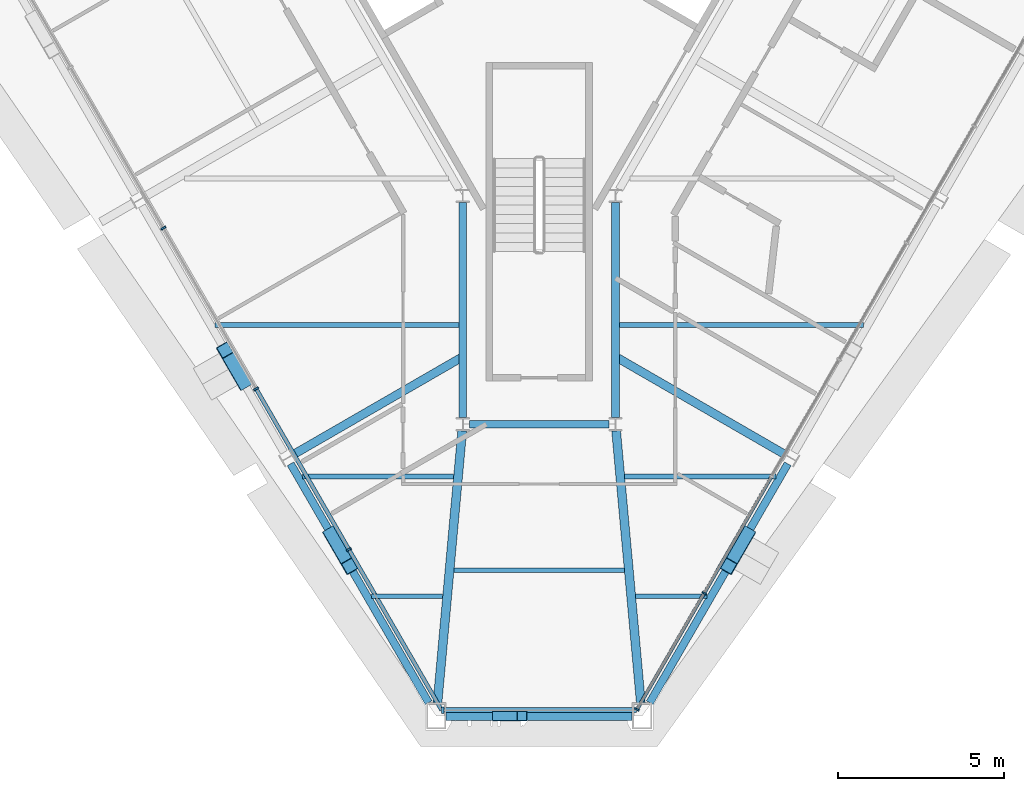
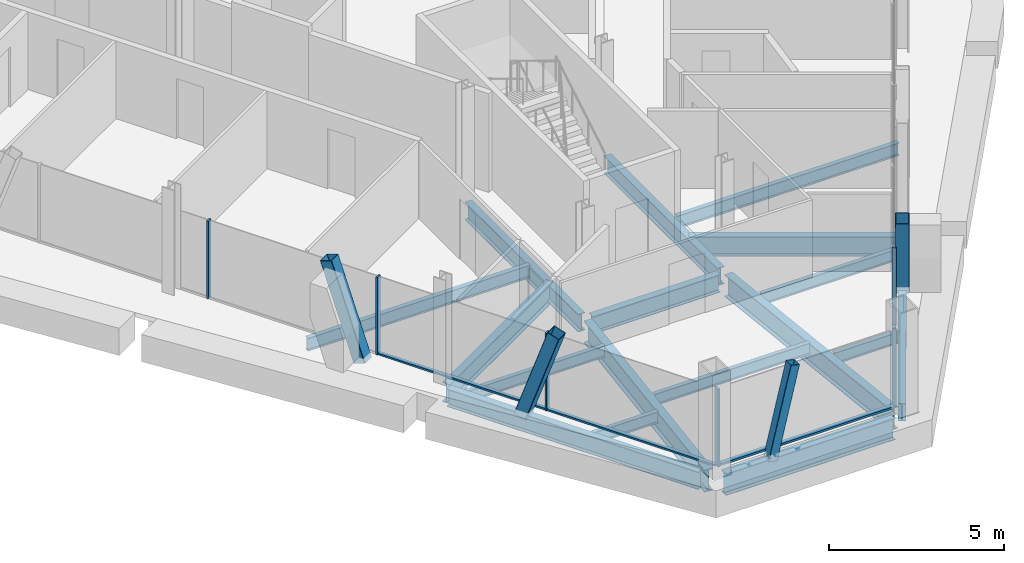
# One storey, part 3 of 16: 17 beams, 15 members, 3 elements without a shape of their own.
"""IFC4 building model written with IfcOpenShell, lengths in metres."""

from ifc_helpers import new_model, si_unit, direction, frame, origin, origin_2d, place, context, subcontext, project, spatial, rectangle, hollow_rectangle, i_section, extrude, material, material_profile, profile_set, type_object, element, aggregate, save


model = new_model("IFC4")

# Units and contexts
model_context = context("Model", 3, precision=1e-05, world=origin(), true_north=direction((0.0, 1.0)))
body_context = subcontext(model_context, "Body", "Model", "MODEL_VIEW")
ifc_project = project(units=[si_unit("LENGTHUNIT", "METRE"), si_unit("AREAUNIT", "SQUARE_METRE"), si_unit("VOLUMEUNIT", "CUBIC_METRE"), si_unit("PLANEANGLEUNIT", "RADIAN"), si_unit("MASSUNIT", "GRAM", prefix="KILO")], contexts=[model_context])

# Site, building, storey
site_placement = place(None, origin())
site = spatial("IfcSite", under=ifc_project, at=site_placement, CompositionType="ELEMENT")
building_placement = place(site_placement, origin())
building = spatial("IfcBuilding", under=site, at=building_placement, Name="Verrane Prism Tower", CompositionType="ELEMENT")
storey_placement = place(building_placement, frame((0.0, 0.0, 239.699951171875)))
storey = spatial("IfcBuildingStorey", under=building, at=storey_placement, Name="L60", CompositionType="ELEMENT", Elevation=239.699951171875)

# Member
ifc_material_1 = material(Name="Steel A500 Grade C", Category="steel")
ifc_material_profile_1 = material_profile(ifc_material_1, hollow_rectangle(XDim=0.3046875, YDim=0.3046875, WallThickness=0.0126953125, InnerFilletRadius=0.00634765625, OuterFilletRadius=0.01904296875, at=origin_2d()), Name="HSS12x12x1/2")
ifc_profile_set_1 = profile_set([ifc_material_profile_1], Name="Steel A500 Grade C")
member_type_1 = type_object("IfcMemberType", Name="Chamfer brace HSS12x12x1/2", PredefinedType="BRACE", material=ifc_profile_set_1)
member_1_placement = place(storey_placement, frame((-1.2578125, -27.68994140625, -0.242431640625), z_axis=(0.232835531532, 0.0, 0.972516125962), x_axis=(0.0, 1.0, 0.0)))
element("IfcMember", 1, at=member_1_placement, inside=storey, type_object=member_type_1, Name="Chamfer brace S0 L60", PredefinedType="BRACE", context=body_context, shape_type="SweptSolid", body=[
    extrude(hollow_rectangle(XDim=0.3046875, YDim=0.3046875, WallThickness=0.0126953125, InnerFilletRadius=0.00634765625, OuterFilletRadius=0.01904296875, at=origin_2d()), origin(), (0.0, 0.0, 1.0), 3.196044921875),
])

# Beams
ifc_material_2 = material(Name="Steel A992", Category="steel")
ifc_material_profile_2 = material_profile(ifc_material_2, i_section(OverallWidth=0.2666015625, OverallDepth=0.7568359375, WebThickness=0.013916015625, FlangeThickness=0.019287109375, FilletRadius=0.0166015625, at=origin_2d()), Name="W30x108")
ifc_profile_set_2 = profile_set([ifc_material_profile_2], Name="Steel A992")
beam_type_1 = type_object("IfcBeamType", Name="Chamfer spandrel beam W30x108", PredefinedType="SPANDREL", material=ifc_profile_set_2)
beam_1_placement = place(storey_placement, frame((-2.800048828125, -27.68994140625, -0.538330078125), z_axis=(1.0, 0.0, 0.0), x_axis=(0.0, 1.0, 0.0)))
element("IfcBeam", 2, at=beam_1_placement, inside=storey, type_object=beam_type_1, Name="Chamfer spandrel beam L60", PredefinedType="SPANDREL", context=body_context, shape_type="SweptSolid", body=[
    extrude(i_section(OverallWidth=0.2666015625, OverallDepth=0.7568359375, WebThickness=0.013916015625, FlangeThickness=0.019287109375, FilletRadius=0.0166015625, at=origin_2d()), origin(), (0.0, 0.0, 1.0), 5.60009765625),
])
ifc_material_3 = material(Name="Steel A992", Category="steel")
ifc_material_profile_3 = material_profile(ifc_material_3, i_section(OverallWidth=0.23046875, OverallDepth=0.6171875, WebThickness=0.01318359375, FlangeThickness=0.022216796875, FilletRadius=0.012939453125, at=origin_2d()), Name="W24x94")
ifc_profile_set_3 = profile_set([ifc_material_profile_3], Name="Steel A992")
beam_type_2 = type_object("IfcBeamType", Name="Core ring girder W24x94", PredefinedType="BEAM", material=ifc_profile_set_3)
beam_2_placement = place(storey_placement, frame((-2.300048828125, -12.212890625, -0.55859375), z_axis=(0.0, -1.0, 0.0), x_axis=(1.0, 0.0, 0.0)))
element("IfcBeam", 3, at=beam_2_placement, inside=storey, type_object=beam_type_2, Name="Core ring girder L60", PredefinedType="BEAM", context=body_context, shape_type="SweptSolid", body=[
    extrude(i_section(OverallWidth=0.23046875, OverallDepth=0.6171875, WebThickness=0.01318359375, FlangeThickness=0.022216796875, FilletRadius=0.012939453125, at=origin_2d()), origin(), (0.0, 0.0, 1.0), 6.48779296875),
])
beam_3_placement = place(storey_placement, frame((-2.099365234375, -18.89990234375, -0.55859375), z_axis=(1.0, 0.0, 0.0), x_axis=(0.0, 1.0, 0.0)))
element("IfcBeam", 4, at=beam_3_placement, inside=storey, type_object=beam_type_2, Name="Core ring girder L60", PredefinedType="BEAM", context=body_context, shape_type="SweptSolid", body=[
    extrude(i_section(OverallWidth=0.23046875, OverallDepth=0.6171875, WebThickness=0.01318359375, FlangeThickness=0.022216796875, FilletRadius=0.012939453125, at=origin_2d()), origin(), (0.0, 0.0, 1.0), 4.19873046875),
])
beam_4_placement = place(storey_placement, frame((2.300048828125, -18.70068359375, -0.55859375), z_axis=(0.0, 1.0, 0.0), x_axis=(-1.0, 0.0, 0.0)))
element("IfcBeam", 5, at=beam_4_placement, inside=storey, type_object=beam_type_2, Name="Core ring girder L60", PredefinedType="BEAM", context=body_context, shape_type="SweptSolid", body=[
    extrude(i_section(OverallWidth=0.23046875, OverallDepth=0.6171875, WebThickness=0.01318359375, FlangeThickness=0.022216796875, FilletRadius=0.012939453125, at=origin_2d()), origin(), (0.0, 0.0, 1.0), 6.48779296875),
])
ifc_material_4 = material(Name="Steel A992", Category="steel")
ifc_material_profile_4 = material_profile(ifc_material_4, i_section(OverallWidth=0.2666015625, OverallDepth=0.76708984375, WebThickness=0.014892578125, FlangeThickness=0.023681640625, FilletRadius=0.0166015625, at=origin_2d()), Name="W30x124")
ifc_profile_set_4 = profile_set([ifc_material_profile_4], Name="Steel A992")
beam_type_3 = type_object("IfcBeamType", Name="Corner girder W30x124", PredefinedType="BEAM", material=ifc_profile_set_4)
for number, where, z_axis, x_axis, name in (
    (6, (-3.063720703125, -27.2900390625, -0.603515625), (0.090656186222, 0.995882250017, 0.0), (-0.995882250017, 0.090656186222, 0.0), "Corner girder L60"),
    (7, (3.063720703125, -27.2900390625, -0.603515625), (-0.090656186222, 0.995882250017, 0.0), (-0.995882250017, -0.090656186222, 0.0), "Corner girder L60"),
):
    element("IfcBeam", number, at=place(storey_placement, frame(where, z_axis=z_axis, x_axis=x_axis)), inside=storey, type_object=beam_type_3, Name=name, PredefinedType="BEAM", context=body_context, shape_type="SweptSolid", body=[
        extrude(i_section(OverallWidth=0.2666015625, OverallDepth=0.76708984375, WebThickness=0.014892578125, FlangeThickness=0.023681640625, FilletRadius=0.0166015625, at=origin_2d()), origin(), (0.0, 0.0, 1.0), 8.224609375),
    ])

# Members
ifc_material_5 = material(Name="Steel A500 Grade C", Category="steel")
ifc_material_profile_5 = material_profile(ifc_material_5, hollow_rectangle(XDim=0.406494140625, YDim=0.406494140625, WallThickness=0.01904296875, InnerFilletRadius=0.009521484375, OuterFilletRadius=0.028564453125, at=origin_2d()), Name="HSS16x16x3/4")
ifc_profile_set_5 = profile_set([ifc_material_profile_5], Name="Steel A500 Grade C")
member_type_2 = type_object("IfcMemberType", Name="Facade brace HSS16x16x3/4", PredefinedType="BRACE", material=ifc_profile_set_5)
for number, where, z_axis, x_axis, name in (
    (8, (-8.91357421875, -17.62451171875, -0.216552734375), (-0.163420276173, 0.283531291876, 0.94493588135), (-0.866391147706, -0.499365977191, 0.0), "Facade brace SW3 L60"),
    (9, (-6.263427734375, -22.215576171875, -0.216552734375), (0.163774868046, -0.283448174004, 0.944899425997), (0.865858705862, 0.500288618182, 0.0), "Facade brace SW4 L60"),
    (10, (6.263427734375, -22.215576171875, -0.216552734375), (-0.163774868046, -0.283448174004, 0.944899425997), (0.865858705862, -0.500288618182, 0.0), "Facade brace SE0 L60"),
):
    element("IfcMember", number, at=place(storey_placement, frame(where, z_axis=z_axis, x_axis=x_axis)), inside=storey, type_object=member_type_2, Name=name, PredefinedType="BRACE", context=body_context, shape_type="SweptSolid", body=[
        extrude(hollow_rectangle(XDim=0.406494140625, YDim=0.406494140625, WallThickness=0.01904296875, InnerFilletRadius=0.009521484375, OuterFilletRadius=0.028564453125, at=origin_2d()), origin(), (0.0, 0.0, 1.0), 3.38232421875),
    ])

# Beams
ifc_material_6 = material(Name="Steel A992", Category="steel")
ifc_material_profile_6 = material_profile(ifc_material_6, i_section(OverallWidth=0.140380859375, OverallDepth=0.40380859375, WebThickness=0.007080078125, FlangeThickness=0.01123046875, FilletRadius=0.01025390625, at=origin_2d()), Name="W16x31")
ifc_profile_set_6 = profile_set([ifc_material_profile_6], Name="Steel A992")
beam_type_4 = type_object("IfcBeamType", Name="Floor beam W16x31", PredefinedType="BEAM", material=ifc_profile_set_6)
beam_5_placement = place(storey_placement, frame((-5.05126953125, -24.083251953125, -0.36181640625), z_axis=(1.0, 0.0, 0.0), x_axis=(0.0, 1.0, 0.0)))
element("IfcBeam", 11, at=beam_5_placement, inside=storey, type_object=beam_type_4, Name="Floor beam L60", PredefinedType="BEAM", context=body_context, shape_type="SweptSolid", body=[
    extrude(i_section(OverallWidth=0.140380859375, OverallDepth=0.40380859375, WebThickness=0.007080078125, FlangeThickness=0.01123046875, FilletRadius=0.01025390625, at=origin_2d()), origin(), (0.0, 0.0, 1.0), 2.1455078125),
])
beam_6_placement = place(storey_placement, frame((-7.135498046875, -20.476806640625, -0.36181640625), z_axis=(1.0, 0.0, 0.0), x_axis=(0.0, 1.0, 0.0)))
element("IfcBeam", 12, at=beam_6_placement, inside=storey, type_object=beam_type_4, Name="Floor beam L60", PredefinedType="BEAM", context=body_context, shape_type="SweptSolid", body=[
    extrude(i_section(OverallWidth=0.140380859375, OverallDepth=0.40380859375, WebThickness=0.007080078125, FlangeThickness=0.01123046875, FilletRadius=0.01025390625, at=origin_2d()), origin(), (0.0, 0.0, 1.0), 4.55810546875),
])
beam_7_placement = place(storey_placement, frame((2.90576171875, -24.083251953125, -0.36181640625), z_axis=(1.0, 0.0, 0.0), x_axis=(0.0, 1.0, 0.0)))
element("IfcBeam", 13, at=beam_7_placement, inside=storey, type_object=beam_type_4, Name="Floor beam L60", PredefinedType="BEAM", context=body_context, shape_type="SweptSolid", body=[
    extrude(i_section(OverallWidth=0.140380859375, OverallDepth=0.40380859375, WebThickness=0.007080078125, FlangeThickness=0.01123046875, FilletRadius=0.01025390625, at=origin_2d()), origin(), (0.0, 0.0, 1.0), 2.1455078125),
])
beam_8_placement = place(storey_placement, frame((2.577392578125, -20.476806640625, -0.36181640625), z_axis=(1.0, 0.0, 0.0), x_axis=(0.0, 1.0, 0.0)))
element("IfcBeam", 14, at=beam_8_placement, inside=storey, type_object=beam_type_4, Name="Floor beam L60", PredefinedType="BEAM", context=body_context, shape_type="SweptSolid", body=[
    extrude(i_section(OverallWidth=0.140380859375, OverallDepth=0.40380859375, WebThickness=0.007080078125, FlangeThickness=0.01123046875, FilletRadius=0.01025390625, at=origin_2d()), origin(), (0.0, 0.0, 1.0), 4.55810546875),
])
beam_9_placement = place(storey_placement, frame((-2.56591796875, -23.294921875, -0.36181640625), z_axis=(1.0, 0.0, 0.0), x_axis=(0.0, 1.0, 0.0)))
element("IfcBeam", 15, at=beam_9_placement, inside=storey, type_object=beam_type_4, Name="Floor beam L60", PredefinedType="BEAM", context=body_context, shape_type="SweptSolid", body=[
    extrude(i_section(OverallWidth=0.140380859375, OverallDepth=0.40380859375, WebThickness=0.007080078125, FlangeThickness=0.01123046875, FilletRadius=0.01025390625, at=origin_2d()), origin(), (0.0, 0.0, 1.0), 5.1318359375),
])
ifc_material_7 = material(Name="Steel A992", Category="steel")
ifc_material_profile_7 = material_profile(ifc_material_7, i_section(OverallWidth=0.15234375, OverallDepth=0.449462890625, WebThickness=0.007568359375, FlangeThickness=0.0107421875, FilletRadius=0.01025390625, at=origin_2d()), Name="W18x35")
ifc_profile_set_7 = profile_set([ifc_material_profile_7], Name="Steel A992")
beam_type_5 = type_object("IfcBeamType", Name="Floor beam W18x35", PredefinedType="BEAM", material=ifc_profile_set_7)
for number, where, z_axis, x_axis, name in (
    (16, (-9.769287109375, -15.909912109375, -0.384765625), (1.0, 0.0, 0.0), (0.0, 1.0, 0.0), "Floor beam L60"),
    (17, (2.4150390625, -15.909912109375, -0.384765625), (1.0, 0.0, 0.0), (0.0, 1.0, 0.0), "Floor beam L60"),
):
    element("IfcBeam", number, at=place(storey_placement, frame(where, z_axis=z_axis, x_axis=x_axis)), inside=storey, type_object=beam_type_5, Name=name, PredefinedType="BEAM", context=body_context, shape_type="SweptSolid", body=[
        extrude(i_section(OverallWidth=0.15234375, OverallDepth=0.449462890625, WebThickness=0.007568359375, FlangeThickness=0.0107421875, FilletRadius=0.01025390625, at=origin_2d()), origin(), (0.0, 0.0, 1.0), 7.354248046875),
    ])

# Curtain wall, members
ifc_material_8 = material(Name="Aluminium framed insulated glazing", Category="aluminium")
curtain_wall_type_1 = type_object("IfcCurtainWallType", Name="Curtain wall CW-C 4200 module", PredefinedType="NOTDEFINED", material=ifc_material_8)
curtain_wall_1_placement = place(storey_placement, origin())
curtain_wall_1 = element("IfcCurtainWall", 18, at=curtain_wall_1_placement, inside=storey, type_object=curtain_wall_type_1, Name="Glazed curtain wall south-east face L60", PredefinedType="NOTDEFINED")
ifc_material_9 = material(Name="Aluminium alloy 6063-T6", Category="aluminium")
ifc_material_profile_8 = material_profile(ifc_material_9, rectangle(XDim=0.139892578125, YDim=0.050048828125, at=origin_2d()), Name="Mullion 50x140 aluminium")
ifc_profile_set_8 = profile_set([ifc_material_profile_8], Name="Aluminium alloy 6063-T6")
member_type_3 = type_object("IfcMemberType", Name="Mullion 50x140 aluminium", PredefinedType="MULLION", material=ifc_profile_set_8)
member_2_placement = place(storey_placement, frame((2.950439453125, -27.493408203125, 0.0), z_axis=(0.0, 0.0, 1.0), x_axis=(-0.866025759098, 0.499999384578, 0.0)))
member_2 = element("IfcMember", 19, at=member_2_placement, type_object=member_type_3, Name="CW59.6 mullion 1", PredefinedType="MULLION", context=body_context, shape_type="SweptSolid", body=[
    extrude(rectangle(XDim=0.139892578125, YDim=0.050048828125, at=origin_2d()), origin(), (0.0, 0.0, 1.0), 2.712890625),
])
member_3_placement = place(storey_placement, frame((4.970703125, -23.994140625, 0.0), z_axis=(0.0, 0.0, 1.0), x_axis=(-0.866025759098, 0.499999384578, 0.0)))
member_3 = element("IfcMember", 20, at=member_3_placement, type_object=member_type_3, Name="CW59.6 mullion 2", PredefinedType="MULLION", context=body_context, shape_type="SweptSolid", body=[
    extrude(rectangle(XDim=0.139892578125, YDim=0.050048828125, at=origin_2d()), origin(), (0.0, 0.0, 1.0), 2.712890625),
])

ifc_material_10 = material(Name="Aluminium framed insulated glazing", Category="aluminium")
curtain_wall_type_2 = type_object("IfcCurtainWallType", Name="Curtain wall CW-B 5600 module", PredefinedType="NOTDEFINED", material=ifc_material_10)
curtain_wall_2_placement = place(storey_placement, origin())
curtain_wall_2 = element("IfcCurtainWall", 21, at=curtain_wall_2_placement, inside=storey, type_object=curtain_wall_type_2, Name="Glazed curtain wall south-west face L60", PredefinedType="NOTDEFINED")
ifc_material_11 = material(Name="Aluminium alloy 6063-T6", Category="aluminium")
ifc_material_profile_9 = material_profile(ifc_material_11, rectangle(XDim=0.159912109375, YDim=0.06005859375, at=origin_2d()), Name="Mullion 60x160 aluminium")
ifc_profile_set_9 = profile_set([ifc_material_profile_9], Name="Aluminium alloy 6063-T6")
member_type_4 = type_object("IfcMemberType", Name="Mullion 60x160 aluminium", PredefinedType="MULLION", material=ifc_profile_set_9)
member_4_placement = place(storey_placement, frame((-11.32275390625, -12.991943359375, 0.0), z_axis=(0.0, 0.0, 1.0), x_axis=(0.866025759098, 0.499999384578, 0.0)))
member_4 = element("IfcMember", 22, at=member_4_placement, type_object=member_type_4, Name="CW59.4 mullion 6", PredefinedType="MULLION", context=body_context, shape_type="SweptSolid", body=[
    extrude(rectangle(XDim=0.159912109375, YDim=0.06005859375, at=origin_2d()), origin(), (0.0, 0.0, 1.0), 2.712890625),
])
member_5_placement = place(storey_placement, frame((-8.52783203125, -17.8330078125, 0.0), z_axis=(0.0, 0.0, 1.0), x_axis=(0.866025759098, 0.499999384578, 0.0)))
member_5 = element("IfcMember", 23, at=member_5_placement, type_object=member_type_4, Name="CW59.4 mullion 7", PredefinedType="MULLION", context=body_context, shape_type="SweptSolid", body=[
    extrude(rectangle(XDim=0.159912109375, YDim=0.06005859375, at=origin_2d()), origin(), (0.0, 0.0, 1.0), 2.712890625),
])
member_6_placement = place(storey_placement, frame((-5.73291015625, -22.674072265625, 0.0), z_axis=(0.0, 0.0, 1.0), x_axis=(0.866025759098, 0.499999384578, 0.0)))
member_6 = element("IfcMember", 24, at=member_6_placement, type_object=member_type_4, Name="CW59.4 mullion 8", PredefinedType="MULLION", context=body_context, shape_type="SweptSolid", body=[
    extrude(rectangle(XDim=0.159912109375, YDim=0.06005859375, at=origin_2d()), origin(), (0.0, 0.0, 1.0), 2.712890625),
])

# Curtain wall, member
ifc_material_12 = material(Name="Aluminium framed insulated glazing", Category="aluminium")
curtain_wall_type_3 = type_object("IfcCurtainWallType", Name="Curtain wall CW-A 8400 module", PredefinedType="NOTDEFINED", material=ifc_material_12)
curtain_wall_3_placement = place(storey_placement, origin())
curtain_wall_3 = element("IfcCurtainWall", 25, at=curtain_wall_3_placement, inside=storey, type_object=curtain_wall_type_3, Name="Glazed curtain wall south corner L60", PredefinedType="NOTDEFINED")
ifc_material_13 = material(Name="Aluminium alloy 6063-T6", Category="aluminium")
ifc_material_profile_10 = material_profile(ifc_material_13, rectangle(XDim=0.199951171875, YDim=0.070068359375, at=origin_2d()), Name="Mullion 70x200 aluminium")
ifc_profile_set_10 = profile_set([ifc_material_profile_10], Name="Aluminium alloy 6063-T6")
member_type_5 = type_object("IfcMemberType", Name="Mullion 70x200 aluminium", PredefinedType="MULLION", material=ifc_profile_set_10)
member_7_placement = place(storey_placement, frame((-2.90283203125, -27.514892578125, 0.0), z_axis=(0.0, 0.0, 1.0), x_axis=(0.0, 1.0, 0.0)))
member_7 = element("IfcMember", 26, at=member_7_placement, type_object=member_type_5, Name="CW59.5 mullion 1", PredefinedType="MULLION", context=body_context, shape_type="SweptSolid", body=[
    extrude(rectangle(XDim=0.199951171875, YDim=0.070068359375, at=origin_2d()), origin(), (0.0, 0.0, 1.0), 2.712890625),
])

# Beams
ifc_material_14 = material(Name="Steel A992", Category="steel")
ifc_material_profile_11 = material_profile(ifc_material_14, i_section(OverallWidth=0.25390625, OverallDepth=0.683349609375, WebThickness=0.012451171875, FlangeThickness=0.01904296875, FilletRadius=0.01513671875, at=origin_2d()), Name="W27x94")
ifc_profile_set_11 = profile_set([ifc_material_profile_11], Name="Steel A992")
beam_type_6 = type_object("IfcBeamType", Name="Radial girder W27x94", PredefinedType="BEAM", material=ifc_profile_set_11)
for number, where, z_axis, x_axis, name in (
    (27, (-7.4228515625, -19.823486328125, -0.5615234375), (0.866017195286, 0.500014217266, 0.0), (-0.500014217266, 0.866017195286, 0.0), "Radial girder L60"),
    (28, (7.4228515625, -19.823486328125, -0.5615234375), (-0.866017195286, 0.500014217266, 0.0), (-0.500014217266, -0.866017195286, 0.0), "Radial girder L60"),
):
    element("IfcBeam", number, at=place(storey_placement, frame(where, z_axis=z_axis, x_axis=x_axis)), inside=storey, type_object=beam_type_6, Name=name, PredefinedType="BEAM", context=body_context, shape_type="SweptSolid", body=[
        extrude(i_section(OverallWidth=0.25390625, OverallDepth=0.683349609375, WebThickness=0.012451171875, FlangeThickness=0.01904296875, FilletRadius=0.01513671875, at=origin_2d()), origin(), (0.0, 0.0, 1.0), 5.915283203125),
    ])
ifc_material_15 = material(Name="Steel A992", Category="steel")
ifc_material_profile_12 = material_profile(ifc_material_15, i_section(OverallWidth=0.23046875, OverallDepth=0.6171875, WebThickness=0.01318359375, FlangeThickness=0.022216796875, FilletRadius=0.012939453125, at=origin_2d()), Name="W24x94")
ifc_profile_set_12 = profile_set([ifc_material_profile_12], Name="Steel A992")
beam_type_7 = type_object("IfcBeamType", Name="Spandrel beam W24x94", PredefinedType="SPANDREL", material=ifc_profile_set_12)
for number, where, z_axis, x_axis, name in (
    (29, (-7.490234375, -20.092529296875, -0.468505859375), (0.500333377622, -0.86583284255, 0.0), (0.86583284255, 0.500333377622, 0.0), "Spandrel beam L60"),
    (30, (3.3310546875, -27.2900390625, -0.468505859375), (0.500333377622, 0.86583284255, 0.0), (-0.86583284255, 0.500333377622, 0.0), "Spandrel beam L60"),
):
    element("IfcBeam", number, at=place(storey_placement, frame(where, z_axis=z_axis, x_axis=x_axis)), inside=storey, type_object=beam_type_7, Name=name, PredefinedType="SPANDREL", context=body_context, shape_type="SweptSolid", body=[
        extrude(i_section(OverallWidth=0.23046875, OverallDepth=0.6171875, WebThickness=0.01318359375, FlangeThickness=0.022216796875, FilletRadius=0.012939453125, at=origin_2d()), origin(), (0.0, 0.0, 1.0), 8.312744140625),
    ])

# Member
ifc_material_16 = material(Name="Aluminium alloy 6063-T6", Category="aluminium")
ifc_material_profile_13 = material_profile(ifc_material_16, rectangle(XDim=0.10009765625, YDim=0.050048828125, at=origin_2d()), Name="Transom 50x100 aluminium")
ifc_profile_set_13 = profile_set([ifc_material_profile_13], Name="Aluminium alloy 6063-T6")
member_type_6 = type_object("IfcMemberType", Name="Transom 50x100 aluminium", PredefinedType="USERDEFINED", material=ifc_profile_set_13)
member_8_placement = place(storey_placement, frame((2.962890625, -27.4716796875, 0.025146484375), z_axis=(0.499981963631, 0.866035816837, 0.0), x_axis=(-0.866035816837, 0.499981963631, 0.0)))
member_8 = element("IfcMember", 31, at=member_8_placement, type_object=member_type_6, Name="CW59.6 transom 1", ObjectType="TRANSOM", PredefinedType="USERDEFINED", context=body_context, shape_type="SweptSolid", body=[
    extrude(rectangle(XDim=0.10009765625, YDim=0.050048828125, at=origin_2d()), origin(), (0.0, 0.0, 1.0), 3.990478515625),
])

member_9_placement = place(storey_placement, frame((4.983154296875, -23.97265625, 0.025146484375), z_axis=(0.499964557259, 0.866045865693, 0.0), x_axis=(-0.866045865693, 0.499964557259, 0.0)))
member_9 = element("IfcMember", 32, at=member_9_placement, type_object=member_type_6, Name="CW59.6 transom 2", ObjectType="TRANSOM", PredefinedType="USERDEFINED", context=body_context, shape_type="SweptSolid", body=[
    extrude(rectangle(XDim=0.10009765625, YDim=0.050048828125, at=origin_2d()), origin(), (0.0, 0.0, 1.0), 4.015380859375),
])

aggregate(curtain_wall_1, [member_2, member_3, member_8, member_9])

ifc_material_17 = material(Name="Aluminium alloy 6063-T6", Category="aluminium")
ifc_material_profile_14 = material_profile(ifc_material_17, rectangle(XDim=0.1201171875, YDim=0.06005859375, at=origin_2d()), Name="Transom 60x120 aluminium")
ifc_profile_set_14 = profile_set([ifc_material_profile_14], Name="Aluminium alloy 6063-T6")
member_type_7 = type_object("IfcMemberType", Name="Transom 60x120 aluminium", PredefinedType="USERDEFINED", material=ifc_profile_set_14)
member_10_placement = place(storey_placement, frame((-8.512939453125, -17.85888671875, 0.030029296875), z_axis=(0.50002308228, -0.866012076814, 0.0), x_axis=(0.866012076814, 0.50002308228, 0.0)))
member_10 = element("IfcMember", 33, at=member_10_placement, type_object=member_type_7, Name="CW59.4 transom 7", ObjectType="TRANSOM", PredefinedType="USERDEFINED", context=body_context, shape_type="SweptSolid", body=[
    extrude(rectangle(XDim=0.1201171875, YDim=0.06005859375, at=origin_2d()), origin(), (0.0, 0.0, 1.0), 5.530029296875),
])

member_11_placement = place(storey_placement, frame((-5.7177734375, -22.699951171875, 0.030029296875), z_axis=(0.499983466698, -0.86603494908, 0.0), x_axis=(0.86603494908, 0.499983466698, 0.0)))
member_11 = element("IfcMember", 34, at=member_11_placement, type_object=member_type_7, Name="CW59.4 transom 8", ObjectType="TRANSOM", PredefinedType="USERDEFINED", context=body_context, shape_type="SweptSolid", body=[
    extrude(rectangle(XDim=0.1201171875, YDim=0.06005859375, at=origin_2d()), origin(), (0.0, 0.0, 1.0), 5.559814453125),
])

aggregate(curtain_wall_2, [member_4, member_5, member_6, member_10, member_11])

ifc_material_18 = material(Name="Aluminium alloy 6063-T6", Category="aluminium")
ifc_material_profile_15 = material_profile(ifc_material_18, rectangle(XDim=0.14990234375, YDim=0.070068359375, at=origin_2d()), Name="Transom 70x150 aluminium")
ifc_profile_set_15 = profile_set([ifc_material_profile_15], Name="Aluminium alloy 6063-T6")
member_type_8 = type_object("IfcMemberType", Name="Transom 70x150 aluminium", PredefinedType="USERDEFINED", material=ifc_profile_set_15)
member_12_placement = place(storey_placement, frame((-2.867919921875, -27.514892578125, 0.03515625), z_axis=(1.0, 0.0, 0.0), x_axis=(0.0, 1.0, 0.0)))
member_12 = element("IfcMember", 35, at=member_12_placement, type_object=member_type_8, Name="CW59.5 transom 1", ObjectType="TRANSOM", PredefinedType="USERDEFINED", context=body_context, shape_type="SweptSolid", body=[
    extrude(rectangle(XDim=0.14990234375, YDim=0.070068359375, at=origin_2d()), origin(), (0.0, 0.0, 1.0), 5.805908203125),
])

aggregate(curtain_wall_3, [member_7, member_12])

save(model, "model.ifc")
